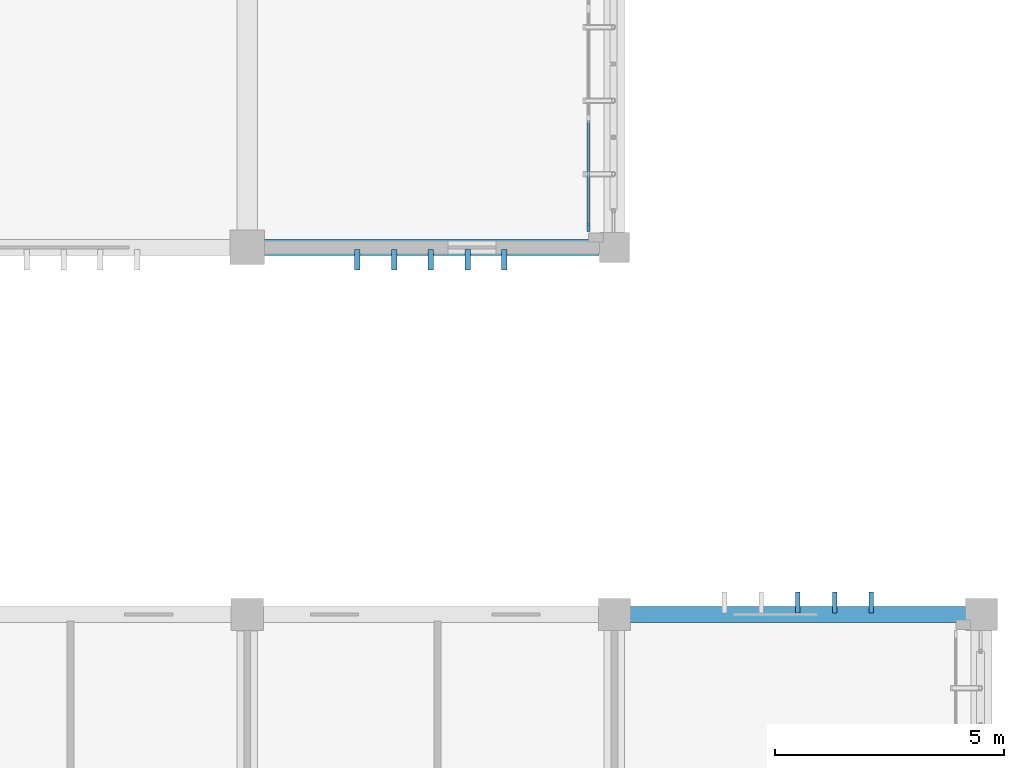
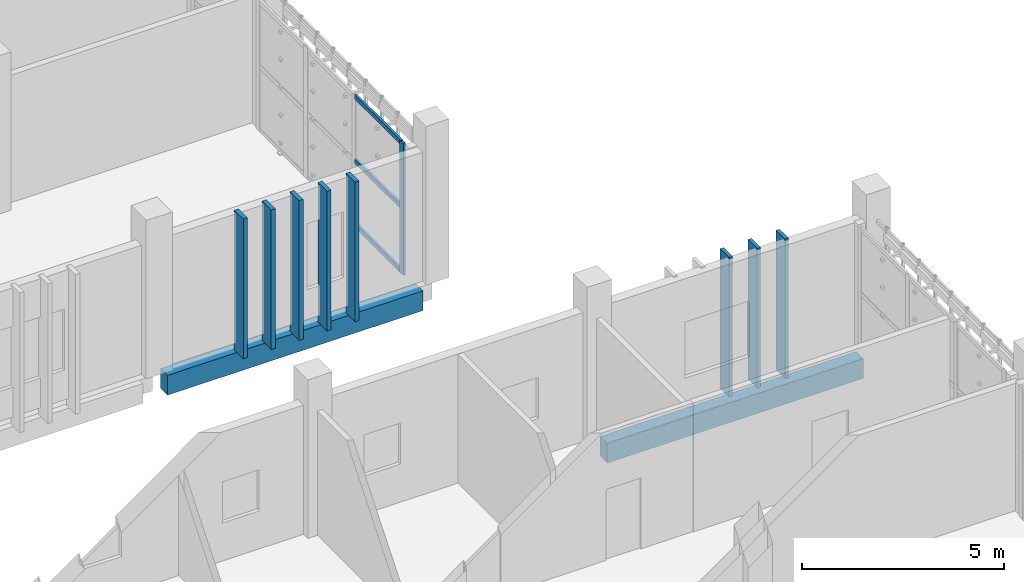
# One storey, part 61 of 106: 12 members, 2 beams, 1 element without a shape of its own.
"""IFC4 building model written with IfcOpenShell, lengths in metres."""

import ifcopenshell
import ifcopenshell.guid

model = None  # the IFC model being written
_history = None  # IfcOwnerHistory: only IFC2X3 demands one
_inside = {}  # id of a spatial element -> (the spatial element, [elements in it])
_under = {}  # id of a project, library or spatial element -> (it, [spatial elements below it])
_declared = {}  # id of a project -> (the project, [libraries it declares])
_typed = {}  # id of a type object -> (the type object, [elements of that type])
_made_of = {}  # id of a material, layer set ... -> (it, [elements and type objects made of it])


def new_model(schema):
    """Start an empty IFC model of exactly this schema.

    Asked for "IFC4X3", IfcOpenShell would pick the latest addendum, in which some entities
    have other attributes; the version numbers below select the first issue.
    IFC2X3 requires an IfcOwnerHistory on every rooted entity: one is made here for all.
    """
    global model, _history
    if schema == "IFC4X3":
        model = ifcopenshell.file(schema_version=(4, 3, 0, 0))
    else:
        model = ifcopenshell.file(schema=schema)
    _inside.clear()
    _under.clear()
    _declared.clear()
    _typed.clear()
    _made_of.clear()
    _history = None
    if model.schema == "IFC2X3":
        org = make("IfcOrganization", Name="unknown")
        user = make(
            "IfcPersonAndOrganization",
            ThePerson=make("IfcPerson", FamilyName="unknown"),
            TheOrganization=org,
        )
        app = make(
            "IfcApplication",
            ApplicationDeveloper=org,
            Version="unknown",
            ApplicationFullName="unknown",
            ApplicationIdentifier="unknown",
        )
        _history = make(
            "IfcOwnerHistory",
            OwningUser=user,
            OwningApplication=app,
            ChangeAction="ADDED",
            CreationDate=0,
        )
    return model


def make(cls, **values):
    """One entity of the class cls with the attributes given. An attribute that is None is left unset."""
    return model.create_entity(
        cls, **{name: value for name, value in values.items() if value is not None}
    )


def rooted(cls, **values):
    """An entity with a GlobalId (a new one), such as an element, a storey or a relation."""
    return make(cls, GlobalId=ifcopenshell.guid.new(), OwnerHistory=_history, **values)


def si_unit(unit_type, name, prefix=None):
    """IfcSIUnit, for example si_unit("LENGTHUNIT", "METRE", prefix="MILLI")."""
    return make("IfcSIUnit", UnitType=unit_type, Prefix=prefix, Name=name)


def assignment(units):
    """IfcUnitAssignment: the units of a project."""
    return None if units is None else make("IfcUnitAssignment", Units=units)


def point(xyz):
    """IfcCartesianPoint."""
    return None if xyz is None else make("IfcCartesianPoint", Coordinates=xyz)


def direction(xyz):
    """IfcDirection."""
    return None if xyz is None else make("IfcDirection", DirectionRatios=xyz)


def frame(location, z_axis=None, x_axis=None):
    """IfcAxis2Placement3D, a coordinate frame: its origin and axes. An axis left out is left unset."""
    return make(
        "IfcAxis2Placement3D",
        Location=point(location),
        Axis=direction(z_axis),
        RefDirection=direction(x_axis),
    )


def frame_2d(location, x_axis=None):
    """IfcAxis2Placement2D, a coordinate frame in the plane: its origin and x axis."""
    return make(
        "IfcAxis2Placement2D", Location=point(location), RefDirection=direction(x_axis)
    )


def origin():
    """The frame at (0, 0, 0) with its axes left unset."""
    return frame((0.0, 0.0, 0.0))


def origin_2d():
    """The frame at (0, 0) in the plane with its x axis left unset."""
    return frame_2d((0.0, 0.0))


def place(relative_to, where):
    """IfcLocalPlacement: puts the frame where relative to a parent placement (None: the world)."""
    return make(
        "IfcLocalPlacement", PlacementRelTo=relative_to, RelativePlacement=where
    )


def context(
    kind, dimensions, precision=None, world=None, true_north=None, identifier=None
):
    """IfcGeometricRepresentationContext, for example the 3D "Model" context."""
    return make(
        "IfcGeometricRepresentationContext",
        ContextIdentifier=identifier,
        ContextType=kind,
        CoordinateSpaceDimension=dimensions,
        Precision=precision,
        WorldCoordinateSystem=world,
        TrueNorth=true_north,
    )


def subcontext(parent, identifier, kind, view, scale=None):
    """IfcGeometricRepresentationSubContext, for example "Body" below "Model"."""
    return make(
        "IfcGeometricRepresentationSubContext",
        ContextIdentifier=identifier,
        ContextType=kind,
        ParentContext=parent,
        TargetScale=scale,
        TargetView=view,
    )


def project(units=None, contexts=None):
    """IfcProject with its units and contexts."""
    return rooted(
        "IfcProject",
        Name="project",
        RepresentationContexts=contexts,
        UnitsInContext=assignment(units),
    )


def spatial(cls, under=None, at=None, **own):
    """A site, building, storey or space (cls), placed at a placement, below another one or the project."""
    s = rooted(cls, ObjectPlacement=at, **own)
    if under is not None:
        _under.setdefault(under.id(), (under, []))[1].append(s)
    return s


def profile(cls, at=None, kind="AREA", **sizes):
    """A parametric profile (cls). Its sizes go by their IFC names, for example OverallWidth=200.0."""
    return make(cls, ProfileType=kind, Position=at, **sizes)


def rectangle(**sizes):
    """IfcRectangleProfileDef."""
    return profile("IfcRectangleProfileDef", **sizes)


def extrude(swept, where, along, depth):
    """IfcExtrudedAreaSolid: the profile swept, set in the frame where, extruded along a direction by depth."""
    return make(
        "IfcExtrudedAreaSolid",
        SweptArea=swept,
        Position=where,
        ExtrudedDirection=direction(along),
        Depth=depth,
    )


def shape(context_of_items, identifier, shape_type, items):
    """IfcShapeRepresentation: the items that make up one representation, for example the "Body"."""
    return make(
        "IfcShapeRepresentation",
        ContextOfItems=context_of_items,
        RepresentationIdentifier=identifier,
        RepresentationType=shape_type,
        Items=items,
    )


def material(Name=None, Category=None):
    """IfcMaterial."""
    return make("IfcMaterial", Name=Name, Category=Category)


def layer(
    of_material, thickness, ventilated=None, Name=None, Category=None, Priority=None
):
    """IfcMaterialLayer: one layer of a wall or slab, of a material (None: an air gap)."""
    return make(
        "IfcMaterialLayer",
        Material=of_material,
        LayerThickness=thickness,
        IsVentilated=ventilated,
        Name=Name,
        Category=Category,
        Priority=Priority,
    )


def layer_set(layers, Name=None):
    """IfcMaterialLayerSet."""
    return make("IfcMaterialLayerSet", MaterialLayers=layers, LayerSetName=Name)


def material_profile(
    of_material, cross_section, Name=None, Category=None, Priority=None
):
    """IfcMaterialProfile: a cross section and its material."""
    return make(
        "IfcMaterialProfile",
        Name=Name,
        Material=of_material,
        Profile=cross_section,
        Priority=Priority,
        Category=Category,
    )


def profile_set(profiles, Name=None, composite=None):
    """IfcMaterialProfileSet."""
    return make(
        "IfcMaterialProfileSet",
        Name=Name,
        MaterialProfiles=profiles,
        CompositeProfile=composite,
    )


def made_of(thing, what):
    """Note that an element or type object is made of a material, layer set ...; save() writes the relation."""
    if what is not None:
        _made_of.setdefault(what.id(), (what, []))[1].append(thing)
    return thing


def type_object(cls, material=None, **own):
    """A type object (cls), such as IfcWallType, which elements share."""
    return made_of(rooted(cls, **own), material)


def element(
    cls,
    number,
    at=None,
    inside=None,
    cuts=None,
    type_object=None,
    material=None,
    context=None,
    identifier="Body",
    shape_type=None,
    held_by="IfcProductDefinitionShape",
    body=None,
    shapes=None,
    **own,
):
    """One element of the class cls, such as IfcWall. Its Tag is "e" and its number.

    at: its placement. inside: the storey or other place that contains it. cuts: it is an
    opening in that element (IfcRelVoidsElement). A single representation is given by context,
    identifier, shape_type and body (its items); several are given by shapes. held_by: the class
    of the entity that holds the representations. save() writes the other relations.
    """
    e = rooted(cls, Tag="e%d" % number, ObjectPlacement=at, **own)
    if body is not None:
        shapes = [shape(context, identifier, shape_type, body)]
    if shapes is not None:
        e.Representation = make(held_by, Representations=shapes)
    if inside is not None:
        _inside.setdefault(inside.id(), (inside, []))[1].append(e)
    if cuts is not None:
        rooted(
            "IfcRelVoidsElement", RelatingBuildingElement=cuts, RelatedOpeningElement=e
        )
    if type_object is not None:
        _typed.setdefault(type_object.id(), (type_object, []))[1].append(e)
    return made_of(e, material)


def aggregate(whole, parts):
    """IfcRelAggregates: a whole, such as a stair, and the parts it consists of."""
    return rooted("IfcRelAggregates", RelatingObject=whole, RelatedObjects=parts)


def save(model, path):
    """Write the relations noted so far, then the file.

    IfcRelAggregates (storeys below a building ...), IfcRelContainedInSpatialStructure (elements
    in a storey), IfcRelDefinesByType, IfcRelAssociatesMaterial and IfcRelDeclares: one each for
    every whole, place, type object, material and project.
    """
    for whole, parts in _under.values():
        aggregate(whole, parts)
    for where, things in _inside.values():
        rooted(
            "IfcRelContainedInSpatialStructure",
            RelatedElements=things,
            RelatingStructure=where,
        )
    for kind, things in _typed.values():
        rooted("IfcRelDefinesByType", RelatedObjects=things, RelatingType=kind)
    for what, things in _made_of.values():
        rooted("IfcRelAssociatesMaterial", RelatedObjects=things, RelatingMaterial=what)
    for by, libraries in _declared.values():
        rooted("IfcRelDeclares", RelatingContext=by, RelatedDefinitions=libraries)
    model.write(path)


model = new_model("IFC4")

# Units and contexts
model_context = context("Model", 3, precision=1e-05, world=origin(), true_north=direction((0.0, 1.0)))
body_context = subcontext(model_context, "Body", "Model", "MODEL_VIEW")
ifc_project = project(units=[si_unit("LENGTHUNIT", "METRE"), si_unit("AREAUNIT", "SQUARE_METRE"), si_unit("VOLUMEUNIT", "CUBIC_METRE"), si_unit("PLANEANGLEUNIT", "RADIAN"), si_unit("MASSUNIT", "GRAM", prefix="KILO")], contexts=[model_context])

# Site, building, storey
site_placement = place(None, origin())
site = spatial("IfcSite", under=ifc_project, at=site_placement, CompositionType="ELEMENT")
building_placement = place(site_placement, origin())
building = spatial("IfcBuilding", under=site, at=building_placement, Name="Jelvoka-Kovrelna Polytechnic", CompositionType="ELEMENT")
storey_placement = place(building_placement, frame((0.0, 0.0, 4.800048828125)))
storey = spatial("IfcBuildingStorey", under=building, at=storey_placement, Name="L02", CompositionType="ELEMENT", Elevation=4.800048828125)

# Members
ifc_material_1 = material(Name="Precast concrete C40/50", Category="concrete")
ifc_material_profile_1 = material_profile(ifc_material_1, rectangle(XDim=0.10009765625, YDim=0.449951171875, at=origin_2d()), Name="PC 100x450")
ifc_profile_set_1 = profile_set([ifc_material_profile_1], Name="Precast concrete C40/50")
member_type_1 = type_object("IfcMemberType", Name="Louvre_Fin_100x450", PredefinedType="USERDEFINED", material=ifc_profile_set_1)
for number, where, z_axis, x_axis, name in (
    (1, (196.0, 48.264892578125, -0.27001953125), (0.0, 0.0, 1.0), (1.0, 0.0, 0.0), "L02 B2E north vertical solar louvre fin 0933"),
    (2, (196.800048828125, 48.264892578125, -0.27001953125), (0.0, 0.0, 1.0), (1.0, 0.0, 0.0), "L02 B2E north vertical solar louvre fin 0934"),
    (3, (197.60009765625, 48.264892578125, -0.27001953125), (0.0, 0.0, 1.0), (1.0, 0.0, 0.0), "L02 B2E north vertical solar louvre fin 0935"),
):
    element("IfcMember", number, at=place(storey_placement, frame(where, z_axis=z_axis, x_axis=x_axis)), inside=storey, type_object=member_type_1, Name=name, ObjectType="SUNSHADE", PredefinedType="USERDEFINED", context=body_context, shape_type="SweptSolid", body=[
        extrude(rectangle(XDim=0.10009765625, YDim=0.449951171875, at=origin_2d()), origin(), (0.0, 0.0, 1.0), 4.22998046875),
    ])
ifc_material_2 = material(Name="Precast concrete C40/50", Category="concrete")
ifc_material_profile_2 = material_profile(ifc_material_2, rectangle(XDim=0.1201171875, YDim=0.449951171875, at=origin_2d()), Name="PC 120x450")
ifc_profile_set_2 = profile_set([ifc_material_profile_2], Name="Precast concrete C40/50")
member_type_2 = type_object("IfcMemberType", Name="Louvre_Fin_120x450", PredefinedType="USERDEFINED", material=ifc_profile_set_2)
for number, where, z_axis, x_axis, name in (
    (4, (186.39990234375, 55.735107421875, -0.27001953125), (0.0, 0.0, 1.0), (1.0, 0.0, 0.0), "L02 B3 south vertical solar louvre fin 1451"),
    (5, (187.199951171875, 55.735107421875, -0.27001953125), (0.0, 0.0, 1.0), (1.0, 0.0, 0.0), "L02 B3 south vertical solar louvre fin 1452"),
    (6, (188.0, 55.735107421875, -0.27001953125), (0.0, 0.0, 1.0), (1.0, 0.0, 0.0), "L02 B3 south vertical solar louvre fin 1453"),
    (7, (188.800048828125, 55.735107421875, -0.27001953125), (0.0, 0.0, 1.0), (1.0, 0.0, 0.0), "L02 B3 south vertical solar louvre fin 1454"),
    (8, (189.60009765625, 55.735107421875, -0.27001953125), (0.0, 0.0, 1.0), (1.0, 0.0, 0.0), "L02 B3 south vertical solar louvre fin 1455"),
):
    element("IfcMember", number, at=place(storey_placement, frame(where, z_axis=z_axis, x_axis=x_axis)), inside=storey, type_object=member_type_2, Name=name, ObjectType="SUNSHADE", PredefinedType="USERDEFINED", context=body_context, shape_type="SweptSolid", body=[
        extrude(rectangle(XDim=0.1201171875, YDim=0.449951171875, at=origin_2d()), origin(), (0.0, 0.0, 1.0), 4.22998046875),
    ])

# Curtain wall, member
ifc_material_3 = material(Name="Anodised aluminium 6063-T6", Category="aluminium")
ifc_layer = layer(ifc_material_3, 0.179931640625)
ifc_layer_set = layer_set([ifc_layer], Name="Anodised aluminium 6063-T6")
curtain_wall_type = type_object("IfcCurtainWallType", Name="CW_Recessed_B", PredefinedType="NOTDEFINED", material=ifc_layer_set)
curtain_wall_placement = place(storey_placement, origin())
curtain_wall = element("IfcCurtainWall", 9, at=curtain_wall_placement, inside=storey, type_object=curtain_wall_type, Name="L02 glazed curtain wall 083", PredefinedType="NOTDEFINED")
ifc_material_4 = material(Name="Anodised aluminium 6063-T6", Category="aluminium")
ifc_material_profile_3 = material_profile(ifc_material_4, rectangle(XDim=0.06494140625, YDim=0.179931640625, at=origin_2d()), Name="ALU 65x180")
ifc_profile_set_3 = profile_set([ifc_material_profile_3], Name="Anodised aluminium 6063-T6")
member_type_3 = type_object("IfcMemberType", Name="Mullion_M-02", PredefinedType="MULLION", material=ifc_profile_set_3)
member_1_placement = place(storey_placement, frame((191.43994140625, 56.4326171875, -0.02490234375), z_axis=(0.0, 0.0, 1.0), x_axis=(1.0, 0.0, 0.0)))
member_1 = element("IfcMember", 10, at=member_1_placement, type_object=member_type_3, Name="CW-02 mullion 4", PredefinedType="MULLION", context=body_context, shape_type="SweptSolid", body=[
    extrude(rectangle(XDim=0.06494140625, YDim=0.179931640625, at=origin_2d()), origin(), (0.0, 0.0, 1.0), 4.0),
])

# Beams
ifc_material_5 = material(Name="Concrete C40/50", Category="concrete")
ifc_material_profile_4 = material_profile(ifc_material_5, rectangle(XDim=0.35009765625, YDim=0.60009765625, at=origin_2d()), Name="RC 350x600")
ifc_profile_set_4 = profile_set([ifc_material_profile_4], Name="Concrete C40/50")
beam_type = type_object("IfcBeamType", Name="Spandrel_RC_350x600", PredefinedType="SPANDREL", material=ifc_profile_set_4)
beam_1_placement = place(storey_placement, frame((192.330078125, 48.0, -0.56494140625), z_axis=(1.0, 0.0, 0.0), x_axis=(0.0, 1.0, 0.0)))
element("IfcBeam", 11, at=beam_1_placement, inside=storey, type_object=beam_type, Name="L02 beam 0734", PredefinedType="SPANDREL", context=body_context, shape_type="SweptSolid", body=[
    extrude(rectangle(XDim=0.35009765625, YDim=0.60009765625, at=origin_2d()), origin(), (0.0, 0.0, 1.0), 7.33984375),
])
beam_2_placement = place(storey_placement, frame((184.35498046875, 56.0, -0.56494140625), z_axis=(1.0, 0.0, 0.0), x_axis=(0.0, 1.0, 0.0)))
element("IfcBeam", 12, at=beam_2_placement, inside=storey, type_object=beam_type, Name="L02 beam 0800", PredefinedType="SPANDREL", context=body_context, shape_type="SweptSolid", body=[
    extrude(rectangle(XDim=0.35009765625, YDim=0.60009765625, at=origin_2d()), origin(), (0.0, 0.0, 1.0), 7.31494140625),
])

# Member
ifc_material_6 = material(Name="Anodised aluminium 6063-T6", Category="aluminium")
ifc_material_profile_5 = material_profile(ifc_material_6, rectangle(XDim=0.06494140625, YDim=0.135009765625, at=origin_2d()), Name="ALU 65x135")
ifc_profile_set_5 = profile_set([ifc_material_profile_5], Name="Anodised aluminium 6063-T6")
member_type_4 = type_object("IfcMemberType", Name="Transom_T-02", PredefinedType="USERDEFINED", material=ifc_profile_set_5)
member_2_placement = place(storey_placement, frame((191.43994140625, 58.767578125, 0.032470703125), z_axis=(0.0, -1.0, 0.0), x_axis=(1.0, 0.0, 0.0)))
member_2 = element("IfcMember", 13, at=member_2_placement, type_object=member_type_4, Name="CW-02 transom 3.1", ObjectType="TRANSOM", PredefinedType="USERDEFINED", context=body_context, shape_type="SweptSolid", body=[
    extrude(rectangle(XDim=0.06494140625, YDim=0.135009765625, at=origin_2d()), origin(), (0.0, 0.0, 1.0), 2.302490234375),
])

member_3_placement = place(storey_placement, frame((191.43994140625, 58.767578125, 1.974853515625), z_axis=(0.0, -1.0, 0.0), x_axis=(1.0, 0.0, 0.0)))
member_3 = element("IfcMember", 14, at=member_3_placement, type_object=member_type_4, Name="CW-02 transom 3.2", ObjectType="TRANSOM", PredefinedType="USERDEFINED", context=body_context, shape_type="SweptSolid", body=[
    extrude(rectangle(XDim=0.06494140625, YDim=0.135009765625, at=origin_2d()), origin(), (0.0, 0.0, 1.0), 2.302490234375),
])

member_4_placement = place(storey_placement, frame((191.43994140625, 58.767578125, 3.91748046875), z_axis=(0.0, -1.0, 0.0), x_axis=(1.0, 0.0, 0.0)))
member_4 = element("IfcMember", 15, at=member_4_placement, type_object=member_type_4, Name="CW-02 transom 3.3", ObjectType="TRANSOM", PredefinedType="USERDEFINED", context=body_context, shape_type="SweptSolid", body=[
    extrude(rectangle(XDim=0.06494140625, YDim=0.135009765625, at=origin_2d()), origin(), (0.0, 0.0, 1.0), 2.302490234375),
])

aggregate(curtain_wall, [member_1, member_2, member_3, member_4])

save(model, "model.ifc")
